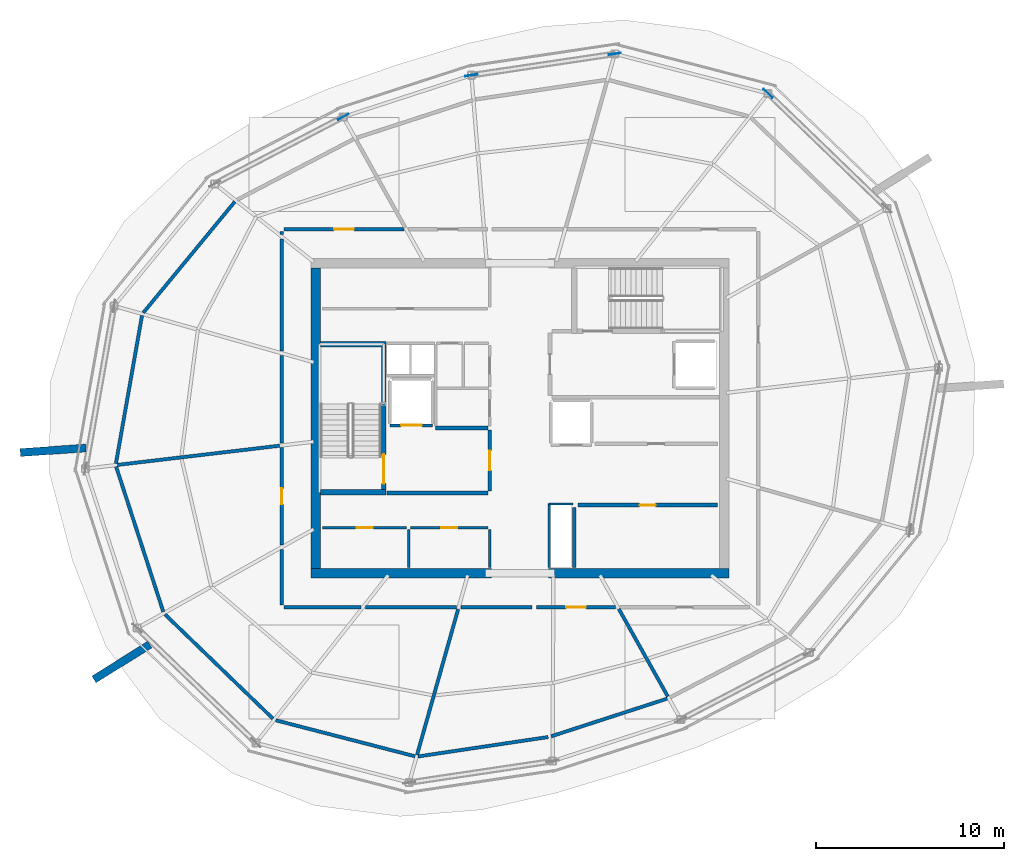
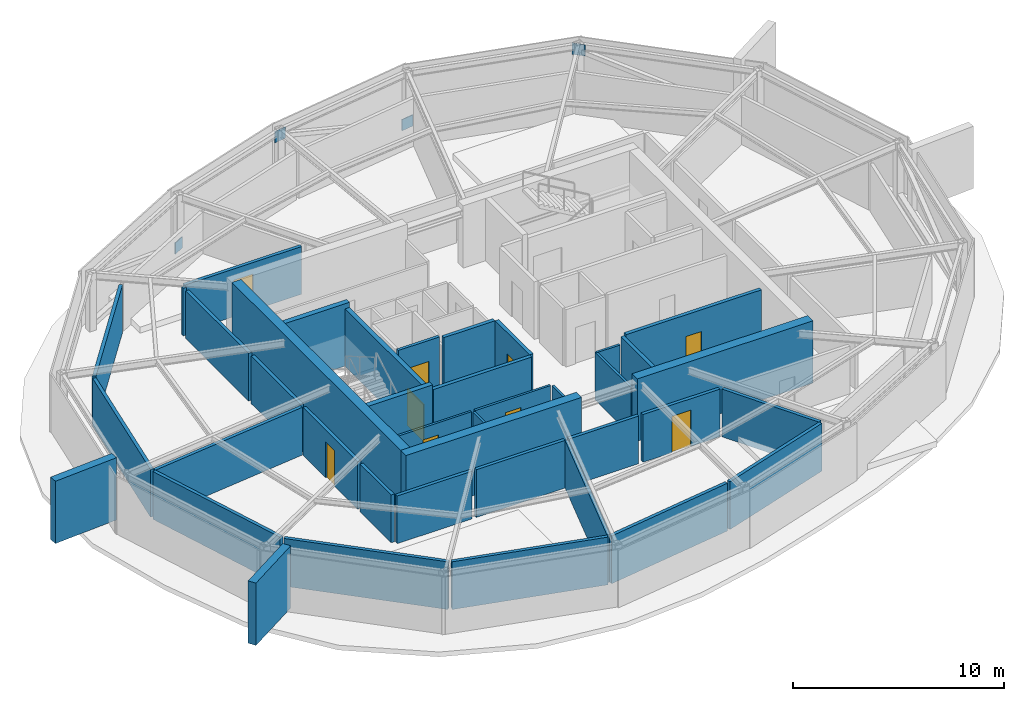
# One storey, part 7 of 10: 40 walls, 9 doors, 4 plates, 9 openings.
"""IFC4 building model written with IfcOpenShell, lengths in metres."""

from ifc_helpers import new_model, si_unit, direction, frame, frame_2d, origin, origin_2d, place, context, subcontext, project, spatial, rectangle, extrude, material, layer, layer_set, type_object, element, fill, save


model = new_model("IFC4")

# Units and contexts
model_context = context("Model", 3, precision=1e-05, world=origin(), true_north=direction((0.0, 1.0)))
body_context = subcontext(model_context, "Body", "Model", "MODEL_VIEW")
ifc_project = project(units=[si_unit("LENGTHUNIT", "METRE"), si_unit("AREAUNIT", "SQUARE_METRE"), si_unit("VOLUMEUNIT", "CUBIC_METRE"), si_unit("PLANEANGLEUNIT", "RADIAN"), si_unit("MASSUNIT", "GRAM", prefix="KILO")], contexts=[model_context])

# Site, building, storey
site_placement = place(None, origin())
site = spatial("IfcSite", under=ifc_project, at=site_placement, CompositionType="ELEMENT")
building_placement = place(site_placement, origin())
building = spatial("IfcBuilding", under=site, at=building_placement, Name="Kazma Halo Residences", CompositionType="ELEMENT")
storey_placement = place(building_placement, frame((0.0, 0.0, 370.39990234375)))
storey = spatial("IfcBuildingStorey", under=building, at=storey_placement, Name="L93", CompositionType="ELEMENT", Elevation=370.39990234375)

# Plates
ifc_material_1 = material(Name="Steel S355", Category="steel")
ifc_layer_1 = layer(ifc_material_1, 0.0400390625)
ifc_layer_set_1 = layer_set([ifc_layer_1], Name="Steel S355")
plate_type = type_object("IfcPlateType", Name="PLT-GUSSET-40", PredefinedType="SHEET", material=ifc_layer_set_1)
for number, where, z_axis, x_axis, name in (
    (1, (61.617431640625, 59.273681640625, 2.615234375), (0.0, 0.0, 1.0), (-0.719342064482, 0.694656025863, 0.0), "L93 crown brace upper gusset 01"),
    (2, (53.46630859375, 61.38232421875, -0.044921875), (0.0, 0.0, 1.0), (-0.98903421845, -0.147686542161, 0.0), "L93 crown brace lower gusset 03"),
    (3, (45.8408203125, 60.24365234375, 2.615234375), (0.0, 0.0, 1.0), (-0.98903421845, -0.147686542161, 0.0), "L93 crown brace upper gusset 03"),
    (4, (39.0234375, 58.02880859375, -0.044921875), (0.0, 0.0, 1.0), (-0.886949727325, -0.461865977529, 0.0), "L93 crown brace lower gusset 05"),
):
    element("IfcPlate", number, at=place(storey_placement, frame(where, z_axis=z_axis, x_axis=x_axis)), inside=storey, type_object=plate_type, Name=name, PredefinedType="SHEET", context=body_context, shape_type="SweptSolid", body=[
        extrude(rectangle(XDim=0.64990234375, YDim=0.0400390625, at=origin_2d()), origin(), (0.0, 0.0, 1.0), 0.64990234375),
    ])

# Walls
ifc_material_2 = material(Name="Pale Concrete C60/75", Category="concrete")
ifc_layer_2 = layer(ifc_material_2, 0.419921875)
ifc_layer_set_2 = layer_set([ifc_layer_2], Name="Pale Concrete C60/75")
wall_type_1 = type_object("IfcWallType", Name="WL-BLADE-420", PredefinedType="SOLIDWALL", material=ifc_layer_set_2)
for number, where, z_axis, x_axis, name in (
    (5, (25.333984375, 40.4150390625, 0.0), (0.0, 0.0, 1.0), (-0.997564163539, -0.069754853754, 0.0), "L93 pale concrete structural blade fin wall BW-02"),
    (6, (28.731201171875, 29.95947265625, 0.0), (0.0, 0.0, 1.0), (-0.848033572426, -0.529942506352, 0.0), "L93 pale concrete structural blade fin wall BW-03"),
):
    element("IfcWall", number, at=place(storey_placement, frame(where, z_axis=z_axis, x_axis=x_axis)), inside=storey, type_object=wall_type_1, Name=name, PredefinedType="SOLIDWALL", context=body_context, shape_type="SweptSolid", body=[
        extrude(rectangle(XDim=3.5, YDim=0.419921875, at=frame_2d((1.75, 0.0))), origin(), (0.0, 0.0, 1.0), 3.60009765625),
    ])
ifc_material_3 = material(Name="Concrete C60/75", Category="concrete")
ifc_layer_3 = layer(ifc_material_3, 0.5)
ifc_layer_set_3 = layer_set([ifc_layer_3], Name="Concrete C60/75")
wall_type_2 = type_object("IfcWallType", Name="WL-CORE-500", PredefinedType="SHEAR", material=ifc_layer_set_3)
wall_1_placement = place(storey_placement, frame((37.300048828125, 33.75, 0.0), z_axis=(0.0, 0.0, 1.0), x_axis=(1.0, 0.0, 0.0)))
element("IfcWall", 7, at=wall_1_placement, inside=storey, type_object=wall_type_2, Name="L93 central core shear wall SW", PredefinedType="SHEAR", context=body_context, shape_type="SweptSolid", body=[
    extrude(rectangle(XDim=9.599853515625, YDim=0.5, at=frame_2d((4.7998046875, 0.0))), origin(), (0.0, 0.0, 1.0), 3.60009765625),
])
wall_2_placement = place(storey_placement, frame((49.949951171875, 33.75, 0.0), z_axis=(0.0, 0.0, 1.0), x_axis=(1.0, 0.0, 0.0)))
element("IfcWall", 8, at=wall_2_placement, inside=storey, type_object=wall_type_2, Name="L93 central core shear wall SE", PredefinedType="SHEAR", context=body_context, shape_type="SweptSolid", body=[
    extrude(rectangle(XDim=9.60009765625, YDim=0.5, at=frame_2d((4.800048828125, 0.0))), origin(), (0.0, 0.0, 1.0), 3.60009765625),
])
wall_3_placement = place(storey_placement, frame((37.550048828125, 34.0, 0.0), z_axis=(0.0, 0.0, 1.0), x_axis=(0.0, 1.0, 0.0)))
element("IfcWall", 9, at=wall_3_placement, inside=storey, type_object=wall_type_2, Name="L93 central core shear wall W", PredefinedType="SHEAR", context=body_context, shape_type="SweptSolid", body=[
    extrude(rectangle(XDim=16.0, YDim=0.5, at=frame_2d((8.0, 0.0))), origin(), (0.0, 0.0, 1.0), 3.60009765625),
])
ifc_layer_4 = layer(ifc_material_3, 0.280029296875)
ifc_layer_set_4 = layer_set([ifc_layer_4], Name="Concrete C60/75")
wall_type_3 = type_object("IfcWallType", Name="WL-CORE-ST-280", PredefinedType="SHEAR", material=ifc_layer_set_4)
for number, where, z_axis, x_axis, name in (
    (10, (37.800048828125, 38.06005859375, 0.0), (0.0, 0.0, 1.0), (1.0, 0.0, 0.0), "L93 stairwell bearing wall ST01-S"),
    (11, (37.800048828125, 45.93994140625, 0.0), (0.0, 0.0, 1.0), (1.0, 0.0, 0.0), "L93 stairwell bearing wall ST01-N"),
):
    element("IfcWall", number, at=place(storey_placement, frame(where, z_axis=z_axis, x_axis=x_axis)), inside=storey, type_object=wall_type_3, Name=name, PredefinedType="SHEAR", context=body_context, shape_type="SweptSolid", body=[
        extrude(rectangle(XDim=3.5, YDim=0.280029296875, at=frame_2d((1.75, 0.0))), origin(), (0.0, 0.0, 1.0), 3.60009765625),
    ])
ifc_material_4 = material(Name="Acoustic Twin-Stud Gypsum")
ifc_layer_5 = layer(ifc_material_4, 0.179931640625)
ifc_layer_set_5 = layer_set([ifc_layer_5], Name="Acoustic Twin-Stud Gypsum")
wall_type_4 = type_object("IfcWallType", Name="WL-DEM-180", PredefinedType="PARTITIONING", material=ifc_layer_set_5)
wall_4_placement = place(storey_placement, frame((33.257568359375, 53.520263671875, 0.0), z_axis=(0.0, 0.0, 1.0), x_axis=(-0.636018833443, -0.771673534278, 0.0)))
element("IfcWall", 12, at=wall_4_placement, inside=storey, type_object=wall_type_4, Name="L93 crown plant perimeter wall 05", PredefinedType="PARTITIONING", context=body_context, shape_type="SweptSolid", body=[
    extrude(rectangle(XDim=7.661376953125, YDim=0.179931640625, at=frame_2d((3.83056640625, 0.0))), origin(), (0.0, 0.0, 1.0), 2.760009765625),
])
wall_5_placement = place(storey_placement, frame((28.320068359375, 47.467529296875, 0.0), z_axis=(0.0, 0.0, 1.0), x_axis=(-0.173668776466, -0.984804120666, 0.0)))
element("IfcWall", 13, at=wall_5_placement, inside=storey, type_object=wall_type_4, Name="L93 crown plant perimeter wall 06", PredefinedType="PARTITIONING", context=body_context, shape_type="SweptSolid", body=[
    extrude(rectangle(XDim=8.005859375, YDim=0.179931640625, at=frame_2d((4.0029296875, 0.0))), origin(), (0.0, 0.0, 1.0), 2.760009765625),
])
wall_6_placement = place(storey_placement, frame((26.940673828125, 39.428466796875, 0.0), z_axis=(0.0, 0.0, 1.0), x_axis=(0.309024234991, -0.951054163646, 0.0)))
element("IfcWall", 14, at=wall_6_placement, inside=storey, type_object=wall_type_4, Name="L93 crown plant perimeter wall 07", PredefinedType="PARTITIONING", context=body_context, shape_type="SweptSolid", body=[
    extrude(rectangle(XDim=8.1240234375, YDim=0.179931640625, at=frame_2d((4.06201171875, 0.0))), origin(), (0.0, 0.0, 1.0), 2.760009765625),
])
wall_7_placement = place(storey_placement, frame((29.533203125, 31.5703125, 0.0), z_axis=(0.0, 0.0, 1.0), x_axis=(0.719364153135, -0.694633151516, 0.0)))
element("IfcWall", 15, at=wall_7_placement, inside=storey, type_object=wall_type_4, Name="L93 crown plant perimeter wall 08", PredefinedType="PARTITIONING", context=body_context, shape_type="SweptSolid", body=[
    extrude(rectangle(XDim=8.006103515625, YDim=0.179931640625, at=frame_2d((4.0029296875, 0.0))), origin(), (0.0, 0.0, 1.0), 2.760009765625),
])
wall_8_placement = place(storey_placement, frame((35.42724609375, 25.93359375, 0.0), z_axis=(0.0, 0.0, 1.0), x_axis=(0.968117205342, -0.250497658115, 0.0)))
element("IfcWall", 16, at=wall_8_placement, inside=storey, type_object=wall_type_4, Name="L93 crown plant perimeter wall 09", PredefinedType="PARTITIONING", context=body_context, shape_type="SweptSolid", body=[
    extrude(rectangle(XDim=7.66162109375, YDim=0.179931640625, at=frame_2d((3.830810546875, 0.0))), origin(), (0.0, 0.0, 1.0), 2.760009765625),
])
wall_9_placement = place(storey_placement, frame((43.0009765625, 24.00634765625, 0.0), z_axis=(0.0, 0.0, 1.0), x_axis=(0.989034336252, 0.147685753256, 0.0)))
element("IfcWall", 17, at=wall_9_placement, inside=storey, type_object=wall_type_4, Name="L93 crown plant perimeter wall 10", PredefinedType="PARTITIONING", context=body_context, shape_type="SweptSolid", body=[
    extrude(rectangle(XDim=7.002685546875, YDim=0.179931640625, at=frame_2d((3.50146484375, 0.0))), origin(), (0.0, 0.0, 1.0), 2.760009765625),
])
wall_10_placement = place(storey_placement, frame((50.08203125, 25.076904296875, 0.0), z_axis=(0.0, 0.0, 1.0), x_axis=(0.95105283999, 0.309028308649, 0.0)))
element("IfcWall", 18, at=wall_10_placement, inside=storey, type_object=wall_type_4, Name="L93 crown plant perimeter wall 11", PredefinedType="PARTITIONING", context=body_context, shape_type="SweptSolid", body=[
    extrude(rectangle(XDim=6.498779296875, YDim=0.179931640625, at=frame_2d((3.24951171875, 0.0))), origin(), (0.0, 0.0, 1.0), 2.760009765625),
])

# Wall, opening, door
wall_11_placement = place(storey_placement, frame((42.251708984375, 52.050048828125, 0.0), z_axis=(0.0, 0.0, 1.0), x_axis=(-1.0, 0.0, 0.0)))
wall_11 = element("IfcWall", 19, at=wall_11_placement, inside=storey, type_object=wall_type_4, Name="L93 L93 Chilled-Water Pump Plant Room corridor wall", PredefinedType="PARTITIONING", context=body_context, shape_type="SweptSolid", body=[
    extrude(rectangle(XDim=6.381591796875, YDim=0.179931640625, at=frame_2d((3.19091796875, 0.0))), origin(), (0.0, 0.0, 1.0), 2.760009765625),
])
opening_1_placement = place(wall_11_placement, frame((2.666015625, 0.0, 0.0)))
opening_1 = element("IfcOpeningElement", 20, at=opening_1_placement, cuts=wall_11, Name="Opening DF-1050", PredefinedType="OPENING", context=body_context, shape_type="SweptSolid", body=[
    extrude(rectangle(XDim=1.050048828125, YDim=2.10009765625, at=frame_2d((0.52490234375, 1.050048828125))), frame((0.0, 0.099853515625, 0.0), z_axis=(0.0, -1.0, 0.0), x_axis=(1.0, 0.0, 0.0)), (0.0, 0.0, 1.0), 0.199951171875),
])
ifc_material_5 = material(Name="Fire-Rated Steel Leaf", Category="steel")
door_type_1 = type_object("IfcDoorType", Name="DR-FD90-1050", OperationType="NOTDEFINED", PredefinedType="DOOR", material=ifc_material_5)
door_1_placement = place(opening_1_placement, origin())
door_1 = element("IfcDoor", 21, at=door_1_placement, inside=storey, type_object=door_type_1, Name="L93 L93 Chilled-Water Pump Plant Room door", OperationType="SINGLE_SWING_RIGHT", OverallHeight=2.10009765625, OverallWidth=1.050048828125, PredefinedType="DOOR", context=body_context, shape_type="SweptSolid", body=[
    extrude(rectangle(XDim=1.050048828125, YDim=2.10009765625, at=frame_2d((0.52490234375, 1.050048828125))), frame((0.0, 0.02490234375, 0.0), z_axis=(0.0, -1.0, 0.0), x_axis=(1.0, 0.0, 0.0)), (0.0, 0.0, 1.0), 0.050048828125),
])
fill(opening_1, door_1)

# Walls
wall_12_placement = place(storey_placement, frame((35.75, 51.929931640625, 0.0), z_axis=(0.0, 0.0, 1.0), x_axis=(0.0, -1.0, 0.0)))
element("IfcWall", 22, at=wall_12_placement, inside=storey, type_object=wall_type_4, Name="L93 L93 Chilled-Water Pump Plant Room corridor wall", PredefinedType="PARTITIONING", context=body_context, shape_type="SweptSolid", body=[
    extrude(rectangle(XDim=0.15283203125, YDim=0.179931640625, at=frame_2d((0.076416015625, 0.0))), origin(), (0.0, 0.0, 1.0), 2.760009765625),
])
wall_13_placement = place(storey_placement, frame((35.75, 51.537109375, 0.0), z_axis=(0.0, 0.0, 1.0), x_axis=(0.0, -1.0, 0.0)))
element("IfcWall", 23, at=wall_13_placement, inside=storey, type_object=wall_type_4, Name="L93 L93 Chilled-Water Pump Plant Room corridor wall", PredefinedType="PARTITIONING", context=body_context, shape_type="SweptSolid", body=[
    extrude(rectangle(XDim=5.962158203125, YDim=0.179931640625, at=frame_2d((2.98095703125, 0.0))), origin(), (0.0, 0.0, 1.0), 2.760009765625),
])
wall_14_placement = place(storey_placement, frame((35.75, 45.3349609375, 0.0), z_axis=(0.0, 0.0, 1.0), x_axis=(0.0, -1.0, 0.0)))
element("IfcWall", 24, at=wall_14_placement, inside=storey, type_object=wall_type_4, Name="L93 L93 Chilled-Water Pump Plant Room corridor wall", PredefinedType="PARTITIONING", context=body_context, shape_type="SweptSolid", body=[
    extrude(rectangle(XDim=4.664794921875, YDim=0.179931640625, at=frame_2d((2.33251953125, 0.0))), origin(), (0.0, 0.0, 1.0), 2.760009765625),
])
wall_15_placement = place(storey_placement, frame((35.640869140625, 40.537109375, 0.0), z_axis=(0.0, 0.0, 1.0), x_axis=(-0.993070751419, -0.117518010011, 0.0)))
element("IfcWall", 25, at=wall_15_placement, inside=storey, type_object=wall_type_4, Name="L93 radial partition wall 07", PredefinedType="PARTITIONING", context=body_context, shape_type="SweptSolid", body=[
    extrude(rectangle(XDim=8.68603515625, YDim=0.179931640625, at=frame_2d((4.343017578125, 0.0))), origin(), (0.0, 0.0, 1.0), 2.760009765625),
])

# Wall, opening, door
wall_16_placement = place(storey_placement, frame((35.75, 40.43017578125, 0.0), z_axis=(0.0, 0.0, 1.0), x_axis=(0.0, -1.0, 0.0)))
wall_16 = element("IfcWall", 26, at=wall_16_placement, inside=storey, type_object=wall_type_4, Name="L93 L93 Treated Water Tank Room corridor wall", PredefinedType="PARTITIONING", context=body_context, shape_type="SweptSolid", body=[
    extrude(rectangle(XDim=5.17041015625, YDim=0.179931640625, at=frame_2d((2.585205078125, 0.0))), origin(), (0.0, 0.0, 1.0), 2.760009765625),
])
opening_2_placement = place(wall_16_placement, frame((2.16015625, 0.0, 0.0)))
opening_2 = element("IfcOpeningElement", 27, at=opening_2_placement, cuts=wall_16, Name="Opening DS-850", PredefinedType="OPENING", context=body_context, shape_type="SweptSolid", body=[
    extrude(rectangle(XDim=0.85009765625, YDim=2.06005859375, at=frame_2d((0.425048828125, 1.030029296875))), frame((0.0, 0.099853515625, 0.0), z_axis=(0.0, -1.0, 0.0), x_axis=(1.0, 0.0, 0.0)), (0.0, 0.0, 1.0), 0.199951171875),
])
ifc_material_6 = material(Name="Painted Steel Access Leaf", Category="steel")
door_type_2 = type_object("IfcDoorType", Name="DR-SVC-850", OperationType="NOTDEFINED", PredefinedType="DOOR", material=ifc_material_6)
door_2_placement = place(opening_2_placement, origin())
door_2 = element("IfcDoor", 28, at=door_2_placement, inside=storey, type_object=door_type_2, Name="L93 L93 Treated Water Tank Room door", OperationType="SINGLE_SWING_LEFT", OverallHeight=2.06005859375, OverallWidth=0.85009765625, PredefinedType="DOOR", context=body_context, shape_type="SweptSolid", body=[
    extrude(rectangle(XDim=0.85009765625, YDim=2.06005859375, at=frame_2d((0.425048828125, 1.030029296875))), frame((0.0, 0.02490234375, 0.0), z_axis=(0.0, -1.0, 0.0), x_axis=(1.0, 0.0, 0.0)), (0.0, 0.0, 1.0), 0.050048828125),
])
fill(opening_2, door_2)

# Walls
wall_17_placement = place(storey_placement, frame((35.75, 35.019775390625, 0.0), z_axis=(0.0, 0.0, 1.0), x_axis=(0.0, -1.0, 0.0)))
element("IfcWall", 29, at=wall_17_placement, inside=storey, type_object=wall_type_4, Name="L93 L93 Treated Water Tank Room corridor wall", PredefinedType="PARTITIONING", context=body_context, shape_type="SweptSolid", body=[
    extrude(rectangle(XDim=2.94970703125, YDim=0.179931640625, at=frame_2d((1.474853515625, 0.0))), origin(), (0.0, 0.0, 1.0), 2.760009765625),
])
wall_18_placement = place(storey_placement, frame((35.8701171875, 31.949951171875, 0.0), z_axis=(0.0, 0.0, 1.0), x_axis=(1.0, 0.0, 0.0)))
element("IfcWall", 30, at=wall_18_placement, inside=storey, type_object=wall_type_4, Name="L93 L93 Treated Water Tank Room corridor wall", PredefinedType="PARTITIONING", context=body_context, shape_type="SweptSolid", body=[
    extrude(rectangle(XDim=4.087158203125, YDim=0.179931640625, at=frame_2d((2.04345703125, 0.0))), origin(), (0.0, 0.0, 1.0), 2.760009765625),
])
wall_19_placement = place(storey_placement, frame((40.197265625, 31.949951171875, 0.0), z_axis=(0.0, 0.0, 1.0), x_axis=(1.0, 0.0, 0.0)))
element("IfcWall", 31, at=wall_19_placement, inside=storey, type_object=wall_type_4, Name="L93 L93 Treated Water Tank Room corridor wall", PredefinedType="PARTITIONING", context=body_context, shape_type="SweptSolid", body=[
    extrude(rectangle(XDim=4.848388671875, YDim=0.179931640625, at=frame_2d((2.42431640625, 0.0))), origin(), (0.0, 0.0, 1.0), 2.760009765625),
])
wall_20_placement = place(storey_placement, frame((45.1357421875, 31.843994140625, 0.0), z_axis=(0.0, 0.0, 1.0), x_axis=(-0.271457285698, -0.962450488099, 0.0)))
element("IfcWall", 32, at=wall_20_placement, inside=storey, type_object=wall_type_4, Name="L93 radial partition wall 10", PredefinedType="PARTITIONING", context=body_context, shape_type="SweptSolid", body=[
    extrude(rectangle(XDim=8.0556640625, YDim=0.179931640625, at=frame_2d((4.02783203125, 0.0))), origin(), (0.0, 0.0, 1.0), 2.760009765625),
])
wall_21_placement = place(storey_placement, frame((45.28564453125, 31.949951171875, 0.0), z_axis=(0.0, 0.0, 1.0), x_axis=(1.0, 0.0, 0.0)))
element("IfcWall", 33, at=wall_21_placement, inside=storey, type_object=wall_type_4, Name="L93 L93 Cooling Tower Plant Room South corridor wall", PredefinedType="PARTITIONING", context=body_context, shape_type="SweptSolid", body=[
    extrude(rectangle(XDim=3.783935546875, YDim=0.179931640625, at=frame_2d((1.89208984375, 0.0))), origin(), (0.0, 0.0, 1.0), 2.760009765625),
])

# Wall, opening, door
wall_22_placement = place(storey_placement, frame((49.3095703125, 31.949951171875, 0.0), z_axis=(0.0, 0.0, 1.0), x_axis=(1.0, 0.0, 0.0)))
wall_22 = element("IfcWall", 34, at=wall_22_placement, inside=storey, type_object=wall_type_4, Name="L93 L93 Cooling Tower Plant Room South corridor wall", PredefinedType="PARTITIONING", context=body_context, shape_type="SweptSolid", body=[
    extrude(rectangle(XDim=4.19873046875, YDim=0.179931640625, at=frame_2d((2.099365234375, 0.0))), origin(), (0.0, 0.0, 1.0), 2.760009765625),
])
opening_3_placement = place(wall_22_placement, frame((1.574462890625, 0.0, 0.0)))
opening_3 = element("IfcOpeningElement", 35, at=opening_3_placement, cuts=wall_22, Name="Opening DF-1050", PredefinedType="OPENING", context=body_context, shape_type="SweptSolid", body=[
    extrude(rectangle(XDim=1.050048828125, YDim=2.10009765625, at=frame_2d((0.52490234375, 1.050048828125))), frame((0.0, 0.099853515625, 0.0), z_axis=(0.0, -1.0, 0.0), x_axis=(1.0, 0.0, 0.0)), (0.0, 0.0, 1.0), 0.199951171875),
])
door_3_placement = place(opening_3_placement, origin())
door_3 = element("IfcDoor", 36, at=door_3_placement, inside=storey, type_object=door_type_1, Name="L93 L93 Cooling Tower Plant Room South door", OperationType="SINGLE_SWING_RIGHT", OverallHeight=2.10009765625, OverallWidth=1.050048828125, PredefinedType="DOOR", context=body_context, shape_type="SweptSolid", body=[
    extrude(rectangle(XDim=1.050048828125, YDim=2.10009765625, at=frame_2d((0.52490234375, 1.050048828125))), frame((0.0, 0.02490234375, 0.0), z_axis=(0.0, -1.0, 0.0), x_axis=(1.0, 0.0, 0.0)), (0.0, 0.0, 1.0), 0.050048828125),
])
fill(opening_3, door_3)

# Wall
wall_23_placement = place(storey_placement, frame((53.681884765625, 31.85400390625, 0.0), z_axis=(0.0, 0.0, 1.0), x_axis=(0.488622869326, -0.872495095443, 0.0)))
element("IfcWall", 37, at=wall_23_placement, inside=storey, type_object=wall_type_4, Name="L93 radial partition wall 12", PredefinedType="PARTITIONING", context=body_context, shape_type="SweptSolid", body=[
    extrude(rectangle(XDim=5.337158203125, YDim=0.179931640625, at=frame_2d((2.66845703125, 0.0))), origin(), (0.0, 0.0, 1.0), 2.760009765625),
])

# Wall, opening, door
ifc_material_7 = material(Name="Fire-Rated Blockwork Masonry", Category="masonry")
ifc_layer_6 = layer(ifc_material_7, 0.199951171875)
ifc_layer_set_6 = layer_set([ifc_layer_6], Name="Fire-Rated Blockwork Masonry")
wall_type_5 = type_object("IfcWallType", Name="WL-FLB-200", PredefinedType="PARTITIONING", material=ifc_layer_set_6)
wall_24_placement = place(storey_placement, frame((51.52001953125, 37.3798828125, 0.0), z_axis=(0.0, 0.0, 1.0), x_axis=(1.0, 0.0, 0.0)))
wall_24 = element("IfcWall", 38, at=wall_24_placement, inside=storey, type_object=wall_type_5, Name="L93 core fan plant wall", PredefinedType="PARTITIONING", context=body_context, shape_type="SweptSolid", body=[
    extrude(rectangle(XDim=7.39990234375, YDim=0.199951171875, at=frame_2d((3.699951171875, 0.0))), origin(), (0.0, 0.0, 1.0), 3.320068359375),
])
opening_4_placement = place(wall_24_placement, frame((3.27490234375, 0.0, 0.0)))
opening_4 = element("IfcOpeningElement", 39, at=opening_4_placement, cuts=wall_24, Name="Opening DS-850", PredefinedType="OPENING", context=body_context, shape_type="SweptSolid", body=[
    extrude(rectangle(XDim=0.85009765625, YDim=2.06005859375, at=frame_2d((0.425048828125, 1.030029296875))), frame((0.0, 0.10986328125, 0.0), z_axis=(0.0, -1.0, 0.0), x_axis=(1.0, 0.0, 0.0)), (0.0, 0.0, 1.0), 0.219970703125),
])
door_4_placement = place(opening_4_placement, origin())
door_4 = element("IfcDoor", 40, at=door_4_placement, inside=storey, type_object=door_type_2, Name="L93 core fan plant door", OperationType="SINGLE_SWING_RIGHT", OverallHeight=2.06005859375, OverallWidth=0.85009765625, PredefinedType="DOOR", context=body_context, shape_type="SweptSolid", body=[
    extrude(rectangle(XDim=0.85009765625, YDim=2.06005859375, at=frame_2d((0.425048828125, 1.030029296875))), frame((0.0, 0.02490234375, 0.0), z_axis=(0.0, -1.0, 0.0), x_axis=(1.0, 0.0, 0.0)), (0.0, 0.0, 1.0), 0.050048828125),
])
fill(opening_4, door_4)

# Wall
wall_25_placement = place(storey_placement, frame((51.31005859375, 34.050048828125, 0.0), z_axis=(0.0, 0.0, 1.0), x_axis=(0.0, 1.0, 0.0)))
element("IfcWall", 41, at=wall_25_placement, inside=storey, type_object=wall_type_5, Name="L93 core fan plant west wall", PredefinedType="PARTITIONING", context=body_context, shape_type="SweptSolid", body=[
    extrude(rectangle(XDim=3.2099609375, YDim=0.199951171875, at=frame_2d((1.60498046875, 0.0))), origin(), (0.0, 0.0, 1.0), 3.320068359375),
])

# Wall, opening, door
wall_26_placement = place(storey_placement, frame((43.780029296875, 41.6201171875, 0.0), z_axis=(0.0, 0.0, 1.0), x_axis=(-1.0, 0.0, 0.0)))
wall_26 = element("IfcWall", 42, at=wall_26_placement, inside=storey, type_object=wall_type_5, Name="L93 lift shaft FL-01 front wall", PredefinedType="PARTITIONING", context=body_context, shape_type="SweptSolid", body=[
    extrude(rectangle(XDim=2.260009765625, YDim=0.159912109375, at=frame_2d((1.1298828125, 0.0))), origin(), (0.0, 0.0, 1.0), 3.320068359375),
])
opening_5_placement = place(wall_26_placement, frame((0.580078125, 0.0, 0.0)))
opening_5 = element("IfcOpeningElement", 43, at=opening_5_placement, cuts=wall_26, Name="Opening LD-FL-01", PredefinedType="OPENING", context=body_context, shape_type="SweptSolid", body=[
    extrude(rectangle(XDim=1.10009765625, YDim=2.10009765625, at=frame_2d((0.550048828125, 1.050048828125))), frame((0.0, 0.08984375, 0.0), z_axis=(0.0, -1.0, 0.0), x_axis=(1.0, 0.0, 0.0)), (0.0, 0.0, 1.0), 0.179931640625),
])
ifc_material_8 = material(Name="Stainless Steel Fire-Rated", Category="steel")
door_type_3 = type_object("IfcDoorType", Name="DR-LIFT-SLD-1100", OperationType="DOUBLE_DOOR_SLIDING", PredefinedType="DOOR", material=ifc_material_8)
door_5_placement = place(opening_5_placement, origin())
door_5 = element("IfcDoor", 44, at=door_5_placement, inside=storey, type_object=door_type_3, Name="L93 lift FL-01 sliding landing door", OperationType="DOUBLE_DOOR_SLIDING", OverallHeight=2.10009765625, OverallWidth=1.10009765625, PredefinedType="DOOR", context=body_context, shape_type="SweptSolid", body=[
    extrude(rectangle(XDim=1.10009765625, YDim=2.10009765625, at=frame_2d((0.550048828125, 1.050048828125))), frame((0.0, 0.02490234375, 0.0), z_axis=(0.0, -1.0, 0.0), x_axis=(1.0, 0.0, 0.0)), (0.0, 0.0, 1.0), 0.050048828125),
])
fill(opening_5, door_5)

# Walls
wall_27_placement = place(storey_placement, frame((41.35009765625, 38.02001953125, 0.0), z_axis=(0.0, 0.0, 1.0), x_axis=(1.0, 0.0, 0.0)))
element("IfcWall", 45, at=wall_27_placement, inside=storey, type_object=wall_type_5, Name="L93 west firefighting lobby south smoke wall", PredefinedType="PARTITIONING", context=body_context, shape_type="SweptSolid", body=[
    extrude(rectangle(XDim=5.369873046875, YDim=0.199951171875, at=frame_2d((2.68505859375, 0.0))), origin(), (0.0, 0.0, 1.0), 3.320068359375),
])
wall_28_placement = place(storey_placement, frame((43.919921875, 41.47998046875, 0.0), z_axis=(0.0, 0.0, 1.0), x_axis=(1.0, 0.0, 0.0)))
element("IfcWall", 46, at=wall_28_placement, inside=storey, type_object=wall_type_5, Name="L93 west firefighting lobby north smoke wall", PredefinedType="PARTITIONING", context=body_context, shape_type="SweptSolid", body=[
    extrude(rectangle(XDim=2.800048828125, YDim=0.199951171875, at=frame_2d((1.39990234375, 0.0))), origin(), (0.0, 0.0, 1.0), 3.320068359375),
])

# Wall, opening, door
wall_29_placement = place(storey_placement, frame((46.820068359375, 38.1201171875, 0.0), z_axis=(0.0, 0.0, 1.0), x_axis=(0.0, 1.0, 0.0)))
wall_29 = element("IfcWall", 47, at=wall_29_placement, inside=storey, type_object=wall_type_5, Name="L93 west firefighting lobby smoke wall", PredefinedType="PARTITIONING", context=body_context, shape_type="SweptSolid", body=[
    extrude(rectangle(XDim=3.259765625, YDim=0.199951171875, at=frame_2d((1.6298828125, 0.0))), origin(), (0.0, 0.0, 1.0), 3.320068359375),
])
opening_6_placement = place(wall_29_placement, frame((1.10498046875, 0.0, 0.0)))
opening_6 = element("IfcOpeningElement", 48, at=opening_6_placement, cuts=wall_29, Name="Opening D-FLW", PredefinedType="OPENING", context=body_context, shape_type="SweptSolid", body=[
    extrude(rectangle(XDim=1.050048828125, YDim=2.10009765625, at=frame_2d((0.52490234375, 1.050048828125))), frame((0.0, 0.10986328125, 0.0), z_axis=(0.0, -1.0, 0.0), x_axis=(1.0, 0.0, 0.0)), (0.0, 0.0, 1.0), 0.219970703125),
])
door_6_placement = place(opening_6_placement, origin())
door_6 = element("IfcDoor", 49, at=door_6_placement, inside=storey, type_object=door_type_1, Name="L93 west firefighting lobby smoke door", OperationType="SINGLE_SWING_RIGHT", OverallHeight=2.10009765625, OverallWidth=1.050048828125, PredefinedType="DOOR", context=body_context, shape_type="SweptSolid", body=[
    extrude(rectangle(XDim=1.050048828125, YDim=2.10009765625, at=frame_2d((0.52490234375, 1.050048828125))), frame((0.0, 0.02490234375, 0.0), z_axis=(0.0, -1.0, 0.0), x_axis=(1.0, 0.0, 0.0)), (0.0, 0.0, 1.0), 0.050048828125),
])
fill(opening_6, door_6)

# Walls
ifc_material_9 = material(Name="Gypsum Plasterboard Partition")
ifc_layer_7 = layer(ifc_material_9, 0.125)
ifc_layer_set_7 = layer_set([ifc_layer_7], Name="Gypsum Plasterboard Partition")
wall_type_6 = type_object("IfcWallType", Name="WL-PART-125", PredefinedType="PARTITIONING", material=ifc_layer_set_7)
for number, where, z_axis, x_axis, name in (
    (50, (46.820068359375, 34.050048828125, 0.0), (0.0, 0.0, 1.0), (0.0, 1.0, 0.0), "L93 reclaimed south east wall"),
    (51, (42.5, 34.050048828125, 0.0), (0.0, 0.0, 1.0), (0.0, 1.0, 0.0), "L93 reclaimed south divider wall"),
):
    element("IfcWall", number, at=place(storey_placement, frame(where, z_axis=z_axis, x_axis=x_axis)), inside=storey, type_object=wall_type_6, Name=name, PredefinedType="PARTITIONING", context=body_context, shape_type="SweptSolid", body=[
        extrude(rectangle(XDim=2.030029296875, YDim=0.125, at=frame_2d((1.01513671875, 0.0))), origin(), (0.0, 0.0, 1.0), 2.760009765625),
    ])

# Wall, opening, door
wall_30_placement = place(storey_placement, frame((37.919921875, 36.179931640625, 0.0), z_axis=(0.0, 0.0, 1.0), x_axis=(1.0, 0.0, 0.0)))
wall_30 = element("IfcWall", 52, at=wall_30_placement, inside=storey, type_object=wall_type_6, Name="L93 reclaimed south W front wall", PredefinedType="PARTITIONING", context=body_context, shape_type="SweptSolid", body=[
    extrude(rectangle(XDim=4.47998046875, YDim=0.125, at=frame_2d((2.239990234375, 0.0))), origin(), (0.0, 0.0, 1.0), 2.760009765625),
])
opening_7_placement = place(wall_30_placement, frame((1.81494140625, 0.0, 0.0)))
opening_7 = element("IfcOpeningElement", 53, at=opening_7_placement, cuts=wall_30, Name="Opening DS-850", PredefinedType="OPENING", context=body_context, shape_type="SweptSolid", body=[
    extrude(rectangle(XDim=0.85009765625, YDim=2.06005859375, at=frame_2d((0.425048828125, 1.030029296875))), frame((0.0, 0.072509765625, 0.0), z_axis=(0.0, -1.0, 0.0), x_axis=(1.0, 0.0, 0.0)), (0.0, 0.0, 1.0), 0.14501953125),
])
door_7_placement = place(opening_7_placement, origin())
door_7 = element("IfcDoor", 54, at=door_7_placement, inside=storey, type_object=door_type_2, Name="L93 reclaimed south W door", OperationType="SINGLE_SWING_RIGHT", OverallHeight=2.06005859375, OverallWidth=0.85009765625, PredefinedType="DOOR", context=body_context, shape_type="SweptSolid", body=[
    extrude(rectangle(XDim=0.85009765625, YDim=2.06005859375, at=frame_2d((0.425048828125, 1.030029296875))), frame((0.0, 0.02490234375, 0.0), z_axis=(0.0, -1.0, 0.0), x_axis=(1.0, 0.0, 0.0)), (0.0, 0.0, 1.0), 0.050048828125),
])
fill(opening_7, door_7)

wall_31_placement = place(storey_placement, frame((42.60009765625, 36.179931640625, 0.0), z_axis=(0.0, 0.0, 1.0), x_axis=(1.0, 0.0, 0.0)))
wall_31 = element("IfcWall", 55, at=wall_31_placement, inside=storey, type_object=wall_type_6, Name="L93 reclaimed south E front wall", PredefinedType="PARTITIONING", context=body_context, shape_type="SweptSolid", body=[
    extrude(rectangle(XDim=4.119873046875, YDim=0.125, at=frame_2d((2.06005859375, 0.0))), origin(), (0.0, 0.0, 1.0), 2.760009765625),
])
opening_8_placement = place(wall_31_placement, frame((1.635009765625, 0.0, 0.0)))
opening_8 = element("IfcOpeningElement", 56, at=opening_8_placement, cuts=wall_31, Name="Opening DS-850", PredefinedType="OPENING", context=body_context, shape_type="SweptSolid", body=[
    extrude(rectangle(XDim=0.85009765625, YDim=2.06005859375, at=frame_2d((0.425048828125, 1.030029296875))), frame((0.0, 0.072509765625, 0.0), z_axis=(0.0, -1.0, 0.0), x_axis=(1.0, 0.0, 0.0)), (0.0, 0.0, 1.0), 0.14501953125),
])
door_8_placement = place(opening_8_placement, origin())
door_8 = element("IfcDoor", 57, at=door_8_placement, inside=storey, type_object=door_type_2, Name="L93 reclaimed south E door", OperationType="SINGLE_SWING_LEFT", OverallHeight=2.06005859375, OverallWidth=0.85009765625, PredefinedType="DOOR", context=body_context, shape_type="SweptSolid", body=[
    extrude(rectangle(XDim=0.85009765625, YDim=2.06005859375, at=frame_2d((0.425048828125, 1.030029296875))), frame((0.0, 0.02490234375, 0.0), z_axis=(0.0, -1.0, 0.0), x_axis=(1.0, 0.0, 0.0)), (0.0, 0.0, 1.0), 0.050048828125),
])
fill(opening_8, door_8)

# Walls
wall_32_placement = place(storey_placement, frame((49.97998046875, 34.06005859375, 0.0), z_axis=(0.0, 0.0, 1.0), x_axis=(0.0, 1.0, 0.0)))
element("IfcWall", 58, at=wall_32_placement, inside=storey, type_object=wall_type_6, Name="L93 standpipe riser wall", PredefinedType="PARTITIONING", context=body_context, shape_type="SweptSolid", body=[
    extrude(rectangle(XDim=3.39990234375, YDim=0.125, at=frame_2d((1.699951171875, 0.0))), origin(), (0.0, 0.0, 1.0), 2.760009765625),
])
wall_33_placement = place(storey_placement, frame((49.97998046875, 37.43994140625, 0.0), z_axis=(0.0, 0.0, 1.0), x_axis=(1.0, 0.0, 0.0)))
element("IfcWall", 59, at=wall_33_placement, inside=storey, type_object=wall_type_6, Name="L93 standpipe riser north wall", PredefinedType="PARTITIONING", context=body_context, shape_type="SweptSolid", body=[
    extrude(rectangle(XDim=1.260009765625, YDim=0.125, at=frame_2d((0.6298828125, 0.0))), origin(), (0.0, 0.0, 1.0), 2.760009765625),
])

# Wall, opening, door
ifc_material_10 = material(Name="Concrete C50/60", Category="concrete")
ifc_layer_8 = layer(ifc_material_10, 0.25)
ifc_layer_set_8 = layer_set([ifc_layer_8], Name="Concrete C50/60")
wall_type_7 = type_object("IfcWallType", Name="WL-SHF-250", PredefinedType="SOLIDWALL", material=ifc_layer_set_8)
wall_34_placement = place(storey_placement, frame((41.179931640625, 38.219970703125, 0.0), z_axis=(0.0, 0.0, 1.0), x_axis=(0.0, 1.0, 0.0)))
wall_34 = element("IfcWall", 60, at=wall_34_placement, inside=storey, type_object=wall_type_7, Name="L93 exit stair ST-01 enclosure wall", PredefinedType="SOLIDWALL", context=body_context, shape_type="SweptSolid", body=[
    extrude(rectangle(XDim=7.56005859375, YDim=0.25, at=frame_2d((3.780029296875, 0.0))), origin(), (0.0, 0.0, 1.0), 3.320068359375),
])
opening_9_placement = place(wall_34_placement, frame((0.300048828125, 0.0, 0.0)))
opening_9 = element("IfcOpeningElement", 61, at=opening_9_placement, cuts=wall_34, Name="Opening D-ST1", PredefinedType="OPENING", context=body_context, shape_type="SweptSolid", body=[
    extrude(rectangle(XDim=1.550048828125, YDim=2.14990234375, at=frame_2d((0.77490234375, 1.074951171875))), frame((0.0, 0.135009765625, 0.0), z_axis=(0.0, -1.0, 0.0), x_axis=(1.0, 0.0, 0.0)), (0.0, 0.0, 1.0), 0.27001953125),
])
ifc_material_11 = material(Name="Fire-Rated Double Steel Leaf", Category="steel")
door_type_4 = type_object("IfcDoorType", Name="DR-FD90-1550", OperationType="NOTDEFINED", PredefinedType="DOOR", material=ifc_material_11)
door_9_placement = place(opening_9_placement, origin())
door_9 = element("IfcDoor", 62, at=door_9_placement, inside=storey, type_object=door_type_4, Name="L93 exit stair ST-01 fire door", OperationType="DOUBLE_DOOR_SINGLE_SWING", OverallHeight=2.14990234375, OverallWidth=1.550048828125, PredefinedType="DOOR", context=body_context, shape_type="SweptSolid", body=[
    extrude(rectangle(XDim=1.550048828125, YDim=2.14990234375, at=frame_2d((0.77490234375, 1.074951171875))), frame((0.0, 0.02490234375, 0.0), z_axis=(0.0, -1.0, 0.0), x_axis=(1.0, 0.0, 0.0)), (0.0, 0.0, 1.0), 0.050048828125),
])
fill(opening_9, door_9)

save(model, "model.ifc")
